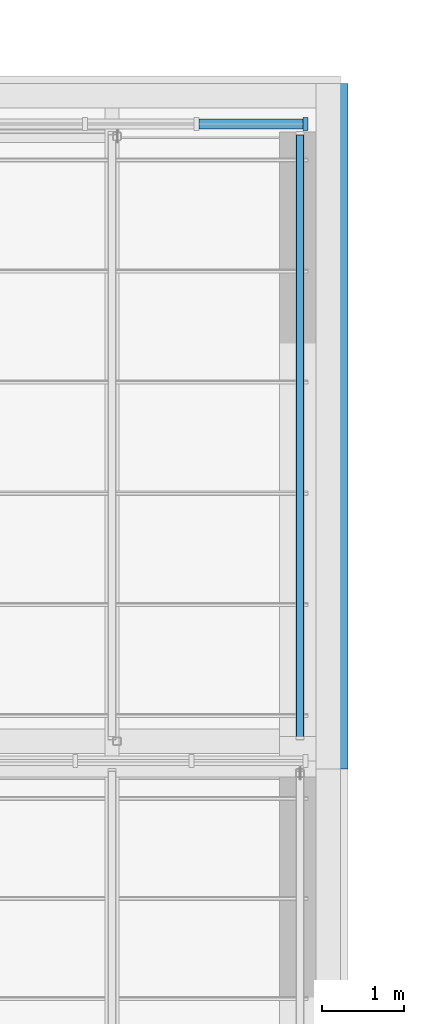
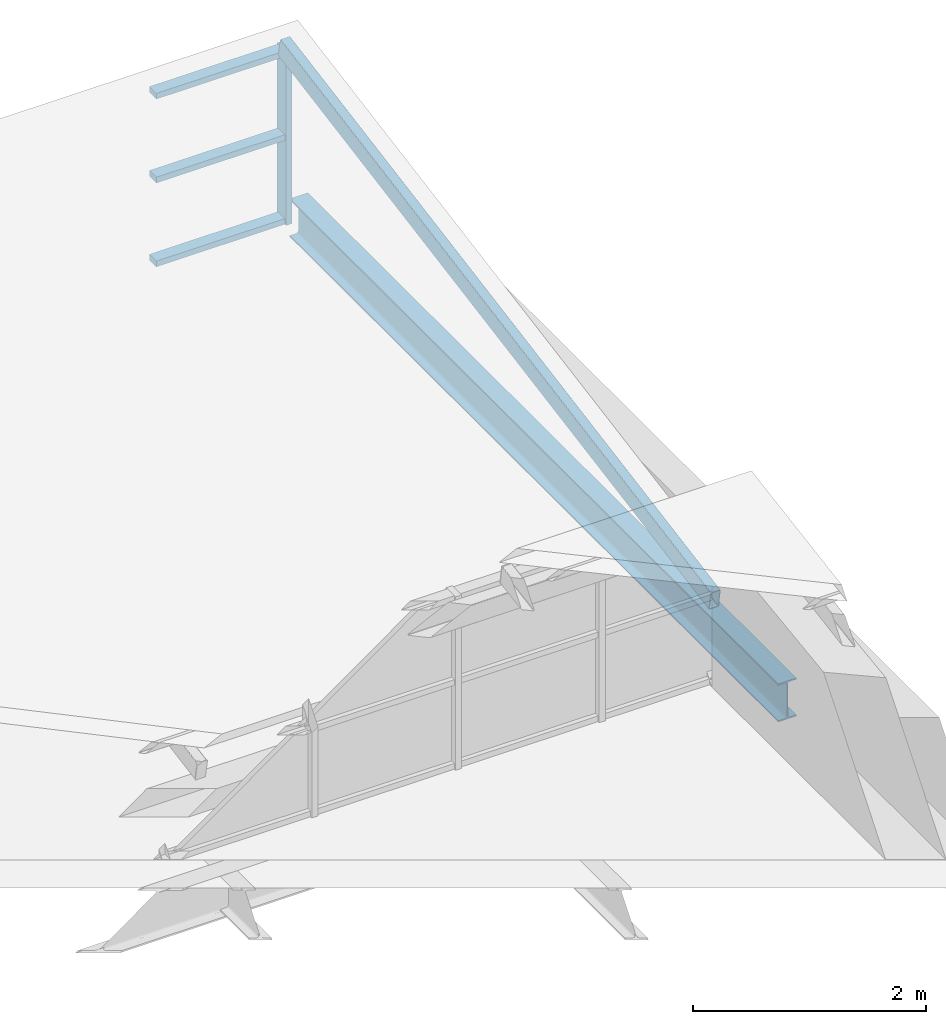
# One storey, part 16 of 33: 5 members, 1 beam, 1 element without a shape of its own.
"""IFC4 building model written with IfcOpenShell, lengths in metres."""

import ifcopenshell
import ifcopenshell.guid

model = None  # the IFC model being written
_history = None  # IfcOwnerHistory: only IFC2X3 demands one
_inside = {}  # id of a spatial element -> (the spatial element, [elements in it])
_under = {}  # id of a project, library or spatial element -> (it, [spatial elements below it])
_declared = {}  # id of a project -> (the project, [libraries it declares])
_typed = {}  # id of a type object -> (the type object, [elements of that type])
_made_of = {}  # id of a material, layer set ... -> (it, [elements and type objects made of it])


def new_model(schema):
    """Start an empty IFC model of exactly this schema.

    Asked for "IFC4X3", IfcOpenShell would pick the latest addendum, in which some entities
    have other attributes; the version numbers below select the first issue.
    IFC2X3 requires an IfcOwnerHistory on every rooted entity: one is made here for all.
    """
    global model, _history
    if schema == "IFC4X3":
        model = ifcopenshell.file(schema_version=(4, 3, 0, 0))
    else:
        model = ifcopenshell.file(schema=schema)
    _inside.clear()
    _under.clear()
    _declared.clear()
    _typed.clear()
    _made_of.clear()
    _history = None
    if model.schema == "IFC2X3":
        org = make("IfcOrganization", Name="unknown")
        user = make(
            "IfcPersonAndOrganization",
            ThePerson=make("IfcPerson", FamilyName="unknown"),
            TheOrganization=org,
        )
        app = make(
            "IfcApplication",
            ApplicationDeveloper=org,
            Version="unknown",
            ApplicationFullName="unknown",
            ApplicationIdentifier="unknown",
        )
        _history = make(
            "IfcOwnerHistory",
            OwningUser=user,
            OwningApplication=app,
            ChangeAction="ADDED",
            CreationDate=0,
        )
    return model


def make(cls, **values):
    """One entity of the class cls with the attributes given. An attribute that is None is left unset."""
    return model.create_entity(
        cls, **{name: value for name, value in values.items() if value is not None}
    )


def rooted(cls, **values):
    """An entity with a GlobalId (a new one), such as an element, a storey or a relation."""
    return make(cls, GlobalId=ifcopenshell.guid.new(), OwnerHistory=_history, **values)


def si_unit(unit_type, name, prefix=None):
    """IfcSIUnit, for example si_unit("LENGTHUNIT", "METRE", prefix="MILLI")."""
    return make("IfcSIUnit", UnitType=unit_type, Prefix=prefix, Name=name)


def assignment(units):
    """IfcUnitAssignment: the units of a project."""
    return None if units is None else make("IfcUnitAssignment", Units=units)


def point(xyz):
    """IfcCartesianPoint."""
    return None if xyz is None else make("IfcCartesianPoint", Coordinates=xyz)


def direction(xyz):
    """IfcDirection."""
    return None if xyz is None else make("IfcDirection", DirectionRatios=xyz)


def frame(location, z_axis=None, x_axis=None):
    """IfcAxis2Placement3D, a coordinate frame: its origin and axes. An axis left out is left unset."""
    return make(
        "IfcAxis2Placement3D",
        Location=point(location),
        Axis=direction(z_axis),
        RefDirection=direction(x_axis),
    )


def frame_2d(location, x_axis=None):
    """IfcAxis2Placement2D, a coordinate frame in the plane: its origin and x axis."""
    return make(
        "IfcAxis2Placement2D", Location=point(location), RefDirection=direction(x_axis)
    )


def origin():
    """The frame at (0, 0, 0) with its axes left unset."""
    return frame((0.0, 0.0, 0.0))


def origin_2d():
    """The frame at (0, 0) in the plane with its x axis left unset."""
    return frame_2d((0.0, 0.0))


def place(relative_to, where):
    """IfcLocalPlacement: puts the frame where relative to a parent placement (None: the world)."""
    return make(
        "IfcLocalPlacement", PlacementRelTo=relative_to, RelativePlacement=where
    )


def context(
    kind, dimensions, precision=None, world=None, true_north=None, identifier=None
):
    """IfcGeometricRepresentationContext, for example the 3D "Model" context."""
    return make(
        "IfcGeometricRepresentationContext",
        ContextIdentifier=identifier,
        ContextType=kind,
        CoordinateSpaceDimension=dimensions,
        Precision=precision,
        WorldCoordinateSystem=world,
        TrueNorth=true_north,
    )


def subcontext(parent, identifier, kind, view, scale=None):
    """IfcGeometricRepresentationSubContext, for example "Body" below "Model"."""
    return make(
        "IfcGeometricRepresentationSubContext",
        ContextIdentifier=identifier,
        ContextType=kind,
        ParentContext=parent,
        TargetScale=scale,
        TargetView=view,
    )


def project(units=None, contexts=None):
    """IfcProject with its units and contexts."""
    return rooted(
        "IfcProject",
        Name="project",
        RepresentationContexts=contexts,
        UnitsInContext=assignment(units),
    )


def spatial(cls, under=None, at=None, **own):
    """A site, building, storey or space (cls), placed at a placement, below another one or the project."""
    s = rooted(cls, ObjectPlacement=at, **own)
    if under is not None:
        _under.setdefault(under.id(), (under, []))[1].append(s)
    return s


def profile(cls, at=None, kind="AREA", **sizes):
    """A parametric profile (cls). Its sizes go by their IFC names, for example OverallWidth=200.0."""
    return make(cls, ProfileType=kind, Position=at, **sizes)


def rectangle(**sizes):
    """IfcRectangleProfileDef."""
    return profile("IfcRectangleProfileDef", **sizes)


def hollow_rectangle(**sizes):
    """IfcRectangleHollowProfileDef."""
    return profile("IfcRectangleHollowProfileDef", **sizes)


def i_section(**sizes):
    """IfcIShapeProfileDef."""
    return profile("IfcIShapeProfileDef", **sizes)


def extrude(swept, where, along, depth):
    """IfcExtrudedAreaSolid: the profile swept, set in the frame where, extruded along a direction by depth."""
    return make(
        "IfcExtrudedAreaSolid",
        SweptArea=swept,
        Position=where,
        ExtrudedDirection=direction(along),
        Depth=depth,
    )


def shape(context_of_items, identifier, shape_type, items):
    """IfcShapeRepresentation: the items that make up one representation, for example the "Body"."""
    return make(
        "IfcShapeRepresentation",
        ContextOfItems=context_of_items,
        RepresentationIdentifier=identifier,
        RepresentationType=shape_type,
        Items=items,
    )


def material(Name=None, Category=None):
    """IfcMaterial."""
    return make("IfcMaterial", Name=Name, Category=Category)


def layer(
    of_material, thickness, ventilated=None, Name=None, Category=None, Priority=None
):
    """IfcMaterialLayer: one layer of a wall or slab, of a material (None: an air gap)."""
    return make(
        "IfcMaterialLayer",
        Material=of_material,
        LayerThickness=thickness,
        IsVentilated=ventilated,
        Name=Name,
        Category=Category,
        Priority=Priority,
    )


def layer_set(layers, Name=None):
    """IfcMaterialLayerSet."""
    return make("IfcMaterialLayerSet", MaterialLayers=layers, LayerSetName=Name)


def material_profile(
    of_material, cross_section, Name=None, Category=None, Priority=None
):
    """IfcMaterialProfile: a cross section and its material."""
    return make(
        "IfcMaterialProfile",
        Name=Name,
        Material=of_material,
        Profile=cross_section,
        Priority=Priority,
        Category=Category,
    )


def profile_set(profiles, Name=None, composite=None):
    """IfcMaterialProfileSet."""
    return make(
        "IfcMaterialProfileSet",
        Name=Name,
        MaterialProfiles=profiles,
        CompositeProfile=composite,
    )


def made_of(thing, what):
    """Note that an element or type object is made of a material, layer set ...; save() writes the relation."""
    if what is not None:
        _made_of.setdefault(what.id(), (what, []))[1].append(thing)
    return thing


def type_object(cls, material=None, **own):
    """A type object (cls), such as IfcWallType, which elements share."""
    return made_of(rooted(cls, **own), material)


def element(
    cls,
    number,
    at=None,
    inside=None,
    cuts=None,
    type_object=None,
    material=None,
    context=None,
    identifier="Body",
    shape_type=None,
    held_by="IfcProductDefinitionShape",
    body=None,
    shapes=None,
    **own,
):
    """One element of the class cls, such as IfcWall. Its Tag is "e" and its number.

    at: its placement. inside: the storey or other place that contains it. cuts: it is an
    opening in that element (IfcRelVoidsElement). A single representation is given by context,
    identifier, shape_type and body (its items); several are given by shapes. held_by: the class
    of the entity that holds the representations. save() writes the other relations.
    """
    e = rooted(cls, Tag="e%d" % number, ObjectPlacement=at, **own)
    if body is not None:
        shapes = [shape(context, identifier, shape_type, body)]
    if shapes is not None:
        e.Representation = make(held_by, Representations=shapes)
    if inside is not None:
        _inside.setdefault(inside.id(), (inside, []))[1].append(e)
    if cuts is not None:
        rooted(
            "IfcRelVoidsElement", RelatingBuildingElement=cuts, RelatedOpeningElement=e
        )
    if type_object is not None:
        _typed.setdefault(type_object.id(), (type_object, []))[1].append(e)
    return made_of(e, material)


def aggregate(whole, parts):
    """IfcRelAggregates: a whole, such as a stair, and the parts it consists of."""
    return rooted("IfcRelAggregates", RelatingObject=whole, RelatedObjects=parts)


def save(model, path):
    """Write the relations noted so far, then the file.

    IfcRelAggregates (storeys below a building ...), IfcRelContainedInSpatialStructure (elements
    in a storey), IfcRelDefinesByType, IfcRelAssociatesMaterial and IfcRelDeclares: one each for
    every whole, place, type object, material and project.
    """
    for whole, parts in _under.values():
        aggregate(whole, parts)
    for where, things in _inside.values():
        rooted(
            "IfcRelContainedInSpatialStructure",
            RelatedElements=things,
            RelatingStructure=where,
        )
    for kind, things in _typed.values():
        rooted("IfcRelDefinesByType", RelatedObjects=things, RelatingType=kind)
    for what, things in _made_of.values():
        rooted("IfcRelAssociatesMaterial", RelatedObjects=things, RelatingMaterial=what)
    for by, libraries in _declared.values():
        rooted("IfcRelDeclares", RelatingContext=by, RelatedDefinitions=libraries)
    model.write(path)


model = new_model("IFC4")

# Units and contexts
model_context = context("Model", 3, precision=1e-05, world=origin(), true_north=direction((0.0, 1.0)))
body_context = subcontext(model_context, "Body", "Model", "MODEL_VIEW")
ifc_project = project(units=[si_unit("LENGTHUNIT", "METRE"), si_unit("AREAUNIT", "SQUARE_METRE"), si_unit("VOLUMEUNIT", "CUBIC_METRE"), si_unit("PLANEANGLEUNIT", "RADIAN"), si_unit("MASSUNIT", "GRAM", prefix="KILO")], contexts=[model_context])

# Site, building, storey
site_placement = place(None, origin())
site = spatial("IfcSite", under=ifc_project, at=site_placement, CompositionType="ELEMENT")
building_placement = place(site_placement, origin())
building = spatial("IfcBuilding", under=site, at=building_placement, Name="Ardhachandra Cancer Care Centre", CompositionType="ELEMENT")
storey_placement = place(building_placement, frame((0.0, 0.0, 27.0)))
storey = spatial("IfcBuildingStorey", under=building, at=storey_placement, Name="Roof", CompositionType="ELEMENT", Elevation=27.0)

# Beam
ifc_material_1 = material(Name="Steel E350 (IS 2062)", Category="steel")
ifc_material_profile_1 = material_profile(ifc_material_1, i_section(OverallWidth=0.179931640625, OverallDepth=0.39990234375, WebThickness=0.008544921875, FlangeThickness=0.013427734375, FilletRadius=0.02099609375, at=origin_2d()), Name="NPB 400x180x66.30")
ifc_profile_set_1 = profile_set([ifc_material_profile_1], Name="Steel E350 (IS 2062)")
beam_type = type_object("IfcBeamType", Name="Beam NPB 400x180x66.30", PredefinedType="BEAM", material=ifc_profile_set_1)
beam_placement = place(storey_placement, frame((145.199951171875, 96.60009765625, -0.39990234375), z_axis=(0.0, 1.0, 0.0), x_axis=(-1.0, 0.0, 0.0)))
element("IfcBeam", 1, at=beam_placement, inside=storey, type_object=beam_type, Name="Edge girder L17-M17", PredefinedType="BEAM", context=body_context, shape_type="SweptSolid", body=[
    extrude(i_section(OverallWidth=0.179931640625, OverallDepth=0.39990234375, WebThickness=0.008544921875, FlangeThickness=0.013427734375, FilletRadius=0.02099609375, at=origin_2d()), origin(), (0.0, 0.0, 1.0), 8.39990234375),
])

# Curtain wall, members
ifc_material_2 = material(Name="Aluminium extrusion", Category="aluminium")
ifc_layer = layer(ifc_material_2, 0.14990234375)
ifc_layer_set = layer_set([ifc_layer], Name="Aluminium extrusion")
curtain_wall_type = type_object("IfcCurtainWallType", Name="Curtain wall run", PredefinedType="NOTDEFINED", material=ifc_layer_set)
curtain_wall_placement = place(storey_placement, origin())
curtain_wall = element("IfcCurtainWall", 2, at=curtain_wall_placement, inside=storey, type_object=curtain_wall_type, Name="Curtain wall Roof n/0128400_0104500", PredefinedType="NOTDEFINED")
ifc_material_3 = material(Name="Aluminium extrusion", Category="aluminium")
ifc_material_profile_2 = material_profile(ifc_material_3, rectangle(XDim=0.159912109375, YDim=0.06005859375, at=origin_2d()), Name="Curtain wall mullion 60 x 160")
ifc_profile_set_2 = profile_set([ifc_material_profile_2], Name="Aluminium extrusion")
member_type_1 = type_object("IfcMemberType", Name="Curtain wall mullion 60 x 160", PredefinedType="MULLION", material=ifc_profile_set_2)
member_1_placement = place(storey_placement, frame((144.77001953125, 104.5, 0.0), z_axis=(0.0, 0.0, 1.0), x_axis=(0.0, 1.0, 0.0)))
member_1 = element("IfcMember", 3, at=member_1_placement, type_object=member_type_1, Name="CW mullion 13", PredefinedType="MULLION", context=body_context, shape_type="SweptSolid", body=[
    extrude(rectangle(XDim=0.159912109375, YDim=0.06005859375, at=origin_2d()), origin(), (0.0, 0.0, 1.0), 1.820068359375),
])
ifc_material_4 = material(Name="Aluminium extrusion", Category="aluminium")
ifc_material_profile_3 = material_profile(ifc_material_4, rectangle(XDim=0.1201171875, YDim=0.06005859375, at=origin_2d()), Name="Curtain wall transom 60 x 120")
ifc_profile_set_3 = profile_set([ifc_material_profile_3], Name="Aluminium extrusion")
member_type_2 = type_object("IfcMemberType", Name="Curtain wall transom 60 x 120", PredefinedType="USERDEFINED", material=ifc_profile_set_3)
member_2_placement = place(storey_placement, frame((143.46337890625, 104.5, 0.030029296875), z_axis=(1.0, 0.0, 0.0), x_axis=(0.0, 1.0, 0.0)))
member_2 = element("IfcMember", 4, at=member_2_placement, type_object=member_type_2, Name="CW transom 12.1", ObjectType="TRANSOM", PredefinedType="USERDEFINED", context=body_context, shape_type="SweptSolid", body=[
    extrude(rectangle(XDim=0.1201171875, YDim=0.06005859375, at=origin_2d()), origin(), (0.0, 0.0, 1.0), 1.276611328125),
])
member_3_placement = place(storey_placement, frame((143.46337890625, 104.5, 0.909912109375), z_axis=(1.0, 0.0, 0.0), x_axis=(0.0, 1.0, 0.0)))
member_3 = element("IfcMember", 5, at=member_3_placement, type_object=member_type_2, Name="CW transom 12.2", ObjectType="TRANSOM", PredefinedType="USERDEFINED", context=body_context, shape_type="SweptSolid", body=[
    extrude(rectangle(XDim=0.1201171875, YDim=0.06005859375, at=origin_2d()), origin(), (0.0, 0.0, 1.0), 1.276611328125),
])
member_4_placement = place(storey_placement, frame((143.46337890625, 104.5, 1.7900390625), z_axis=(1.0, 0.0, 0.0), x_axis=(0.0, 1.0, 0.0)))
member_4 = element("IfcMember", 6, at=member_4_placement, type_object=member_type_2, Name="CW transom 12.3", ObjectType="TRANSOM", PredefinedType="USERDEFINED", context=body_context, shape_type="SweptSolid", body=[
    extrude(rectangle(XDim=0.1201171875, YDim=0.06005859375, at=origin_2d()), origin(), (0.0, 0.0, 1.0), 1.276611328125),
])
aggregate(curtain_wall, [member_1, member_2, member_3, member_4])

# Member
ifc_material_5 = material(Name="Steel E350 (IS 2062)", Category="steel")
ifc_material_profile_4 = material_profile(ifc_material_5, hollow_rectangle(XDim=0.10009765625, YDim=0.199951171875, WallThickness=0.006103515625, InnerFilletRadius=0.006103515625, OuterFilletRadius=0.011962890625, at=origin_2d()), Name="RHS 200x100x6.0")
ifc_profile_set_4 = profile_set([ifc_material_profile_4], Name="Steel E350 (IS 2062)")
member_type_3 = type_object("IfcMemberType", Name="Roof rafter RHS 200x100x6.0", PredefinedType="RAFTER", material=ifc_profile_set_4)
member_5_placement = place(storey_placement, frame((144.699951171875, 96.982421875, 0.598388671875), z_axis=(0.0, 0.984458474177, 0.175617517977), x_axis=(-1.0, 0.0, 0.0)))
element("IfcMember", 7, at=member_5_placement, inside=storey, type_object=member_type_3, Name="Rafter ST3a.7", PredefinedType="RAFTER", context=body_context, shape_type="SweptSolid", body=[
    extrude(hollow_rectangle(XDim=0.10009765625, YDim=0.199951171875, WallThickness=0.006103515625, InnerFilletRadius=0.006103515625, OuterFilletRadius=0.011962890625, at=origin_2d()), origin(), (0.0, 0.0, 1.0), 7.516845703125),
])

save(model, "model.ifc")
